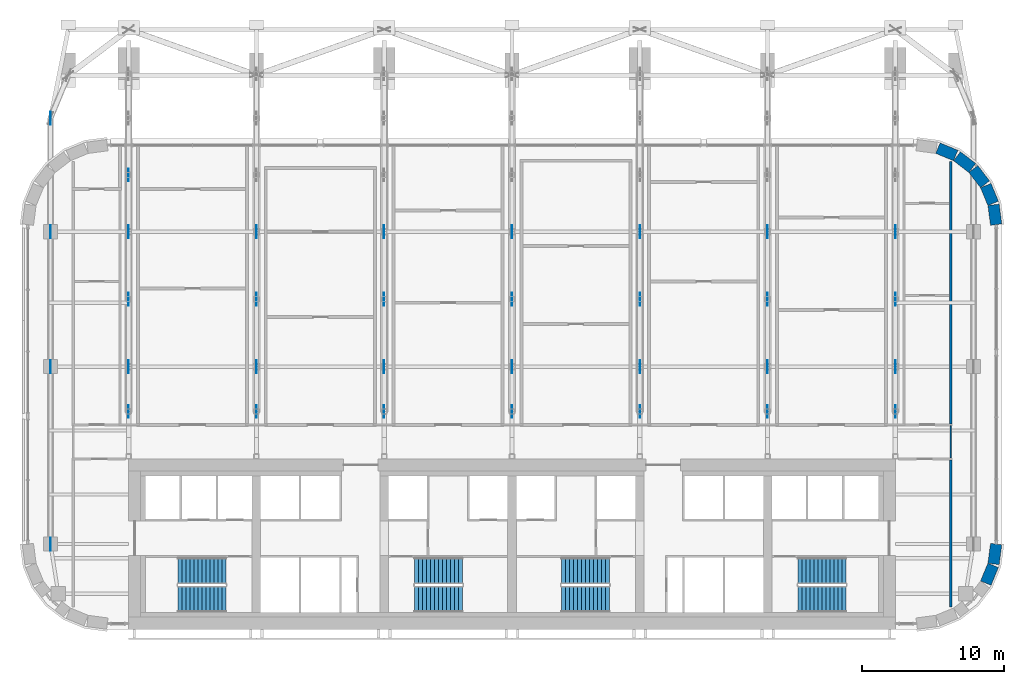
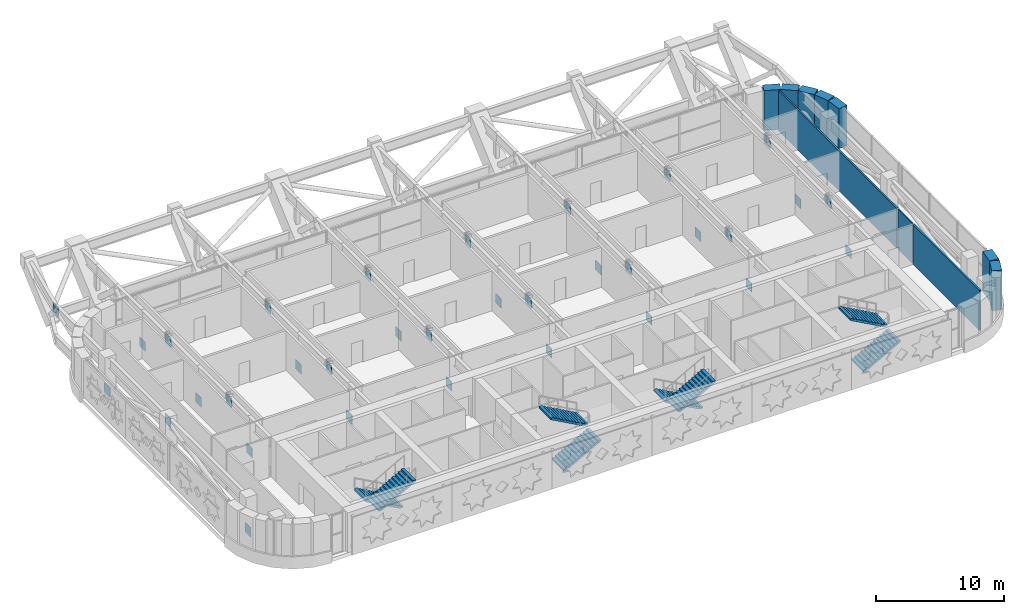
# One storey, part 15 of 23: 33 discrete accessories, 10 walls, 8 stair flights, 4 elements without a shape of their own.
"""IFC4 building model written with IfcOpenShell, lengths in metres."""

from ifc_helpers import new_model, si_unit, direction, frame, frame_2d, origin, origin_2d, place, context, subcontext, project, spatial, polyline, rectangle, outline, extrude, material, layer, layer_set, type_object, element, aggregate, save


model = new_model("IFC4")

# Units and contexts
model_context = context("Model", 3, precision=1e-05, world=origin(), true_north=direction((0.0, 1.0)))
body_context = subcontext(model_context, "Body", "Model", "MODEL_VIEW")
ifc_project = project(units=[si_unit("LENGTHUNIT", "METRE"), si_unit("AREAUNIT", "SQUARE_METRE"), si_unit("VOLUMEUNIT", "CUBIC_METRE"), si_unit("PLANEANGLEUNIT", "RADIAN"), si_unit("MASSUNIT", "GRAM", prefix="KILO")], contexts=[model_context])

# Site, building, storey
site_placement = place(None, origin())
site = spatial("IfcSite", under=ifc_project, at=site_placement, CompositionType="ELEMENT")
building_placement = place(site_placement, origin())
building = spatial("IfcBuilding", under=site, at=building_placement, Name="Zellij Exchange Tower", CompositionType="ELEMENT")
storey_placement = place(building_placement, frame((0.0, 0.0, 160.5)))
storey = spatial("IfcBuildingStorey", under=building, at=storey_placement, Name="L36", CompositionType="ELEMENT", Elevation=160.5)

# Walls
ifc_material_1 = material(Name="Precast concrete C40/50", Category="concrete")
ifc_layer_1 = layer(ifc_material_1, 0.800048828125)
ifc_layer_set_1 = layer_set([ifc_layer_1], Name="Precast concrete C40/50")
wall_type_1 = type_object("IfcWallType", Name="ENV-EW1 Precast stone-piered wall 800", PredefinedType="SOLIDWALL", material=ifc_layer_set_1)
wall_1_placement = place(storey_placement, frame((33.366943359375, -10.74951171875, 0.0), z_axis=(0.0, 0.0, 1.0), x_axis=(0.38276009378, 0.923847774587, 0.0)))
element("IfcWall", 1, at=wall_1_placement, inside=storey, type_object=wall_type_1, Name="fac.L36.05", PredefinedType="SOLIDWALL", context=body_context, shape_type="SweptSolid", body=[
    extrude(rectangle(XDim=1.35546875, YDim=0.800048828125, at=frame_2d((0.677734375, 0.0))), origin(), (0.0, 0.0, 1.0), 3.800048828125),
])
for number, where, z_axis, x_axis, name in (
    (2, (33.912841796875, -9.396240234375, 0.0), (0.0, 0.0, 1.0), (0.130517283865, 0.99144603414, 0.0), "fac.L36.06"),
    (3, (34.0966796875, 14.499755859375, 0.0), (0.0, 0.0, 1.0), (-0.130517283865, 0.99144603414, 0.0), "fac.L36.08"),
):
    element("IfcWall", number, at=place(storey_placement, frame(where, z_axis=z_axis, x_axis=x_axis)), inside=storey, type_object=wall_type_1, Name=name, PredefinedType="SOLIDWALL", context=body_context, shape_type="SweptSolid", body=[
        extrude(rectangle(XDim=1.408447265625, YDim=0.800048828125, at=frame_2d((0.7041015625, 0.0))), origin(), (0.0, 0.0, 1.0), 3.800048828125),
    ])
wall_2_placement = place(storey_placement, frame((33.8857421875, 15.997314453125, 0.0), z_axis=(0.0, 0.0, 1.0), x_axis=(-0.38276009378, 0.923847774587, 0.0)))
element("IfcWall", 4, at=wall_2_placement, inside=storey, type_object=wall_type_1, Name="fac.L36.09", PredefinedType="SOLIDWALL", context=body_context, shape_type="SweptSolid", body=[
    extrude(rectangle(XDim=1.35546875, YDim=0.800048828125, at=frame_2d((0.677734375, 0.0))), origin(), (0.0, 0.0, 1.0), 3.800048828125),
])
for number, where, z_axis, x_axis, name in (
    (5, (33.314697265625, 17.340087890625, 0.0), (0.0, 0.0, 1.0), (-0.608866226366, 0.793272915452, 0.0), "fac.L36.10"),
    (6, (32.41552734375, 18.4892578125, 0.0), (0.0, 0.0, 1.0), (-0.793272915452, 0.608866226366, 0.0), "fac.L36.11"),
):
    element("IfcWall", number, at=place(storey_placement, frame(where, z_axis=z_axis, x_axis=x_axis)), inside=storey, type_object=wall_type_1, Name=name, PredefinedType="SOLIDWALL", context=body_context, shape_type="SweptSolid", body=[
        extrude(rectangle(XDim=1.355712890625, YDim=0.800048828125, at=frame_2d((0.677734375, 0.0))), origin(), (0.0, 0.0, 1.0), 3.800048828125),
    ])
wall_3_placement = place(storey_placement, frame((31.24951171875, 19.366943359375, 0.0), z_axis=(0.0, 0.0, 1.0), x_axis=(-0.923847774587, 0.38276009378, 0.0)))
element("IfcWall", 7, at=wall_3_placement, inside=storey, type_object=wall_type_1, Name="fac.L36.12", PredefinedType="SOLIDWALL", context=body_context, shape_type="SweptSolid", body=[
    extrude(rectangle(XDim=1.35546875, YDim=0.800048828125, at=frame_2d((0.677734375, 0.0))), origin(), (0.0, 0.0, 1.0), 3.800048828125),
])
ifc_material_2 = material(Name="Gypsum board partition on steel studs", Category="steel")
ifc_layer_2 = layer(ifc_material_2, 0.10009765625)
ifc_layer_set_2 = layer_set([ifc_layer_2], Name="Gypsum board partition on steel studs")
wall_type_2 = type_object("IfcWallType", Name="FIT-PARTITION-100", PredefinedType="PARTITIONING", material=ifc_layer_set_2)
wall_4_placement = place(storey_placement, frame((30.89990234375, -1.925048828125, 0.0), z_axis=(0.0, 0.0, 1.0), x_axis=(0.0, 1.0, 0.0)))
element("IfcWall", 8, at=wall_4_placement, inside=storey, type_object=wall_type_2, Name="FIT-PARTITION-100 006", PredefinedType="PARTITIONING", context=body_context, shape_type="SweptSolid", body=[
    extrude(rectangle(XDim=2.25, YDim=0.10009765625, at=frame_2d((1.125, 0.0))), origin(), (0.0, 0.0, 1.0), 3.800048828125),
])
ifc_material_3 = material(Name="Gypsum board shaft-wall partition", Category="gypsum")
ifc_layer_3 = layer(ifc_material_3, 0.14990234375)
ifc_layer_set_3 = layer_set([ifc_layer_3], Name="Gypsum board shaft-wall partition")
wall_type_3 = type_object("IfcWallType", Name="FIT-PARTITION-150-EI60", PredefinedType="PARTITIONING", material=ifc_layer_set_3)
wall_5_placement = place(storey_placement, frame((30.89990234375, -12.43994140625, 0.0), z_axis=(0.0, 0.0, 1.0), x_axis=(0.0, 1.0, 0.0)))
element("IfcWall", 9, at=wall_5_placement, inside=storey, type_object=wall_type_3, Name="FIT-PARTITION-150-EI60 002", PredefinedType="PARTITIONING", context=body_context, shape_type="SweptSolid", body=[
    extrude(rectangle(XDim=10.364990234375, YDim=0.14990234375, at=frame_2d((5.1826171875, 0.0))), origin(), (0.0, 0.0, 1.0), 3.800048828125),
])
wall_6_placement = place(storey_placement, frame((30.89990234375, 0.47509765625, 0.0), z_axis=(0.0, 0.0, 1.0), x_axis=(0.0, 1.0, 0.0)))
element("IfcWall", 10, at=wall_6_placement, inside=storey, type_object=wall_type_3, Name="FIT-PARTITION-150-EI60 037", PredefinedType="PARTITIONING", context=body_context, shape_type="SweptSolid", body=[
    extrude(rectangle(XDim=18.46484375, YDim=0.14990234375, at=frame_2d((9.232421875, 0.0))), origin(), (0.0, 0.0, 1.0), 3.800048828125),
])

# Stair, stair flights
ifc_material_4 = material(Name="Concrete C40/50", Category="concrete")
stair_type = type_object("IfcStairType", Name="CORE-ST exit stair 1850 wide", PredefinedType="HALF_TURN_STAIR", material=ifc_material_4)
stair_1_placement = place(storey_placement, origin())
stair_1 = element("IfcStair", 11, at=stair_1_placement, inside=storey, type_object=stair_type, Name="L36 exit stair ST1", PredefinedType="HALF_TURN_STAIR")
stair_flight_type = type_object("IfcStairFlightType", Name="CORE-SF flight 1850 riser 153.8 going 280", PredefinedType="STRAIGHT", material=ifc_material_4)
stair_flight_1_placement = place(storey_placement, frame((-20.14990234375, -9.875, 0.0), z_axis=(0.0, 0.0, 1.0), x_axis=(-1.0, 0.0, 0.0)))
stair_flight_1 = element("IfcStairFlight", 12, at=stair_flight_1_placement, type_object=stair_flight_type, Name="ST1 flight 1", NumberOfRisers=13, NumberOfTreads=12, PredefinedType="STRAIGHT", RiserHeight=0.153846154, TreadLength=0.28, context=body_context, shape_type="SweptSolid", body=[
    extrude(outline(polyline([(0.0, 0.0), (0.0, 0.15380859375), (0.280029296875, 0.15380859375), (0.280029296875, 0.3076171875), (0.56005859375, 0.3076171875), (0.56005859375, 0.46142578125), (0.840087890625, 0.46142578125), (0.840087890625, 0.615478515625), (1.1201171875, 0.615478515625), (1.1201171875, 0.769287109375), (1.39990234375, 0.769287109375), (1.39990234375, 0.923095703125), (1.679931640625, 0.923095703125), (1.679931640625, 1.076904296875), (1.9599609375, 1.076904296875), (1.9599609375, 1.230712890625), (2.239990234375, 1.230712890625), (2.239990234375, 1.384521484375), (2.52001953125, 1.384521484375), (2.52001953125, 1.53857421875), (2.800048828125, 1.53857421875), (2.800048828125, 1.6923828125), (3.080078125, 1.6923828125), (3.080078125, 1.84619140625), (3.360107421875, 1.84619140625), (3.360107421875, 2.0), (3.360107421875, 1.675048828125), (0.311279296875, 0.0), (0.0, 0.0)])), frame((0.0, 0.925048828125, 0.0), z_axis=(0.0, -1.0, 0.0), x_axis=(1.0, 0.0, 0.0)), (0.0, 0.0, 1.0), 1.85009765625),
])
stair_flight_2_placement = place(storey_placement, frame((-23.510009765625, -11.875, 2.0), z_axis=(0.0, 0.0, 1.0), x_axis=(1.0, 0.0, 0.0)))
stair_flight_2 = element("IfcStairFlight", 13, at=stair_flight_2_placement, type_object=stair_flight_type, Name="ST1 flight 2", NumberOfRisers=13, NumberOfTreads=12, PredefinedType="STRAIGHT", RiserHeight=0.153846154, TreadLength=0.28, context=body_context, shape_type="SweptSolid", body=[
    extrude(outline(polyline([(0.0, 0.0), (0.0, 0.15380859375), (0.280029296875, 0.15380859375), (0.280029296875, 0.3076171875), (0.56005859375, 0.3076171875), (0.56005859375, 0.46142578125), (0.840087890625, 0.46142578125), (0.840087890625, 0.615478515625), (1.1201171875, 0.615478515625), (1.1201171875, 0.769287109375), (1.39990234375, 0.769287109375), (1.39990234375, 0.923095703125), (1.679931640625, 0.923095703125), (1.679931640625, 1.076904296875), (1.9599609375, 1.076904296875), (1.9599609375, 1.230712890625), (2.239990234375, 1.230712890625), (2.239990234375, 1.384521484375), (2.52001953125, 1.384521484375), (2.52001953125, 1.53857421875), (2.800048828125, 1.53857421875), (2.800048828125, 1.6923828125), (3.080078125, 1.6923828125), (3.080078125, 1.84619140625), (3.360107421875, 1.84619140625), (3.360107421875, 2.0), (3.360107421875, 1.675048828125), (0.311279296875, 0.0), (0.0, 0.0)])), frame((0.0, 0.925048828125, 0.0), z_axis=(0.0, -1.0, 0.0), x_axis=(1.0, 0.0, 0.0)), (0.0, 0.0, 1.0), 1.85009765625),
])
aggregate(stair_1, [stair_flight_1, stair_flight_2])

stair_2_placement = place(storey_placement, origin())
stair_2 = element("IfcStair", 14, at=stair_2_placement, inside=storey, type_object=stair_type, Name="L36 exit stair ST2", PredefinedType="HALF_TURN_STAIR")
stair_flight_3_placement = place(storey_placement, frame((-6.85009765625, -11.875, 0.0), z_axis=(0.0, 0.0, 1.0), x_axis=(1.0, 0.0, 0.0)))
stair_flight_3 = element("IfcStairFlight", 15, at=stair_flight_3_placement, type_object=stair_flight_type, Name="ST2 flight 1", NumberOfRisers=13, NumberOfTreads=12, PredefinedType="STRAIGHT", RiserHeight=0.153846154, TreadLength=0.28, context=body_context, shape_type="SweptSolid", body=[
    extrude(outline(polyline([(0.0, 0.0), (0.0, 0.15380859375), (0.280029296875, 0.15380859375), (0.280029296875, 0.3076171875), (0.56005859375, 0.3076171875), (0.56005859375, 0.46142578125), (0.840087890625, 0.46142578125), (0.840087890625, 0.615478515625), (1.1201171875, 0.615478515625), (1.1201171875, 0.769287109375), (1.39990234375, 0.769287109375), (1.39990234375, 0.923095703125), (1.679931640625, 0.923095703125), (1.679931640625, 1.076904296875), (1.9599609375, 1.076904296875), (1.9599609375, 1.230712890625), (2.239990234375, 1.230712890625), (2.239990234375, 1.384521484375), (2.52001953125, 1.384521484375), (2.52001953125, 1.53857421875), (2.800048828125, 1.53857421875), (2.800048828125, 1.6923828125), (3.080078125, 1.6923828125), (3.080078125, 1.84619140625), (3.360107421875, 1.84619140625), (3.360107421875, 2.0), (3.360107421875, 1.675048828125), (0.311279296875, 0.0), (0.0, 0.0)])), frame((0.0, 0.925048828125, 0.0), z_axis=(0.0, -1.0, 0.0), x_axis=(1.0, 0.0, 0.0)), (0.0, 0.0, 1.0), 1.85009765625),
])
stair_flight_4_placement = place(storey_placement, frame((-3.489990234375, -9.875, 2.0), z_axis=(0.0, 0.0, 1.0), x_axis=(-1.0, 0.0, 0.0)))
stair_flight_4 = element("IfcStairFlight", 16, at=stair_flight_4_placement, type_object=stair_flight_type, Name="ST2 flight 2", NumberOfRisers=13, NumberOfTreads=12, PredefinedType="STRAIGHT", RiserHeight=0.153846154, TreadLength=0.28, context=body_context, shape_type="SweptSolid", body=[
    extrude(outline(polyline([(0.0, 0.0), (0.0, 0.15380859375), (0.280029296875, 0.15380859375), (0.280029296875, 0.3076171875), (0.56005859375, 0.3076171875), (0.56005859375, 0.46142578125), (0.840087890625, 0.46142578125), (0.840087890625, 0.615478515625), (1.1201171875, 0.615478515625), (1.1201171875, 0.769287109375), (1.39990234375, 0.769287109375), (1.39990234375, 0.923095703125), (1.679931640625, 0.923095703125), (1.679931640625, 1.076904296875), (1.9599609375, 1.076904296875), (1.9599609375, 1.230712890625), (2.239990234375, 1.230712890625), (2.239990234375, 1.384521484375), (2.52001953125, 1.384521484375), (2.52001953125, 1.53857421875), (2.800048828125, 1.53857421875), (2.800048828125, 1.6923828125), (3.080078125, 1.6923828125), (3.080078125, 1.84619140625), (3.360107421875, 1.84619140625), (3.360107421875, 2.0), (3.360107421875, 1.675048828125), (0.311279296875, 0.0), (0.0, 0.0)])), frame((0.0, 0.925048828125, 0.0), z_axis=(0.0, -1.0, 0.0), x_axis=(1.0, 0.0, 0.0)), (0.0, 0.0, 1.0), 1.85009765625),
])
aggregate(stair_2, [stair_flight_3, stair_flight_4])

stair_3_placement = place(storey_placement, origin())
stair_3 = element("IfcStair", 17, at=stair_3_placement, inside=storey, type_object=stair_type, Name="L36 exit stair ST3", PredefinedType="HALF_TURN_STAIR")
stair_flight_5_placement = place(storey_placement, frame((6.85009765625, -9.875, 0.0), z_axis=(0.0, 0.0, 1.0), x_axis=(-1.0, 0.0, 0.0)))
stair_flight_5 = element("IfcStairFlight", 18, at=stair_flight_5_placement, type_object=stair_flight_type, Name="ST3 flight 1", NumberOfRisers=13, NumberOfTreads=12, PredefinedType="STRAIGHT", RiserHeight=0.153846154, TreadLength=0.28, context=body_context, shape_type="SweptSolid", body=[
    extrude(outline(polyline([(0.0, 0.0), (0.0, 0.15380859375), (0.280029296875, 0.15380859375), (0.280029296875, 0.3076171875), (0.56005859375, 0.3076171875), (0.56005859375, 0.46142578125), (0.840087890625, 0.46142578125), (0.840087890625, 0.615478515625), (1.1201171875, 0.615478515625), (1.1201171875, 0.769287109375), (1.39990234375, 0.769287109375), (1.39990234375, 0.923095703125), (1.679931640625, 0.923095703125), (1.679931640625, 1.076904296875), (1.9599609375, 1.076904296875), (1.9599609375, 1.230712890625), (2.239990234375, 1.230712890625), (2.239990234375, 1.384521484375), (2.52001953125, 1.384521484375), (2.52001953125, 1.53857421875), (2.800048828125, 1.53857421875), (2.800048828125, 1.6923828125), (3.080078125, 1.6923828125), (3.080078125, 1.84619140625), (3.360107421875, 1.84619140625), (3.360107421875, 2.0), (3.360107421875, 1.675048828125), (0.311279296875, 0.0), (0.0, 0.0)])), frame((0.0, 0.925048828125, 0.0), z_axis=(0.0, -1.0, 0.0), x_axis=(1.0, 0.0, 0.0)), (0.0, 0.0, 1.0), 1.85009765625),
])
stair_flight_6_placement = place(storey_placement, frame((3.489990234375, -11.875, 2.0), z_axis=(0.0, 0.0, 1.0), x_axis=(1.0, 0.0, 0.0)))
stair_flight_6 = element("IfcStairFlight", 19, at=stair_flight_6_placement, type_object=stair_flight_type, Name="ST3 flight 2", NumberOfRisers=13, NumberOfTreads=12, PredefinedType="STRAIGHT", RiserHeight=0.153846154, TreadLength=0.28, context=body_context, shape_type="SweptSolid", body=[
    extrude(outline(polyline([(0.0, 0.0), (0.0, 0.15380859375), (0.280029296875, 0.15380859375), (0.280029296875, 0.3076171875), (0.56005859375, 0.3076171875), (0.56005859375, 0.46142578125), (0.840087890625, 0.46142578125), (0.840087890625, 0.615478515625), (1.1201171875, 0.615478515625), (1.1201171875, 0.769287109375), (1.39990234375, 0.769287109375), (1.39990234375, 0.923095703125), (1.679931640625, 0.923095703125), (1.679931640625, 1.076904296875), (1.9599609375, 1.076904296875), (1.9599609375, 1.230712890625), (2.239990234375, 1.230712890625), (2.239990234375, 1.384521484375), (2.52001953125, 1.384521484375), (2.52001953125, 1.53857421875), (2.800048828125, 1.53857421875), (2.800048828125, 1.6923828125), (3.080078125, 1.6923828125), (3.080078125, 1.84619140625), (3.360107421875, 1.84619140625), (3.360107421875, 2.0), (3.360107421875, 1.675048828125), (0.311279296875, 0.0), (0.0, 0.0)])), frame((0.0, 0.925048828125, 0.0), z_axis=(0.0, -1.0, 0.0), x_axis=(1.0, 0.0, 0.0)), (0.0, 0.0, 1.0), 1.85009765625),
])
aggregate(stair_3, [stair_flight_5, stair_flight_6])

stair_4_placement = place(storey_placement, origin())
stair_4 = element("IfcStair", 20, at=stair_4_placement, inside=storey, type_object=stair_type, Name="L36 exit stair ST4", PredefinedType="HALF_TURN_STAIR")
stair_flight_7_placement = place(storey_placement, frame((20.14990234375, -11.875, 0.0), z_axis=(0.0, 0.0, 1.0), x_axis=(1.0, 0.0, 0.0)))
stair_flight_7 = element("IfcStairFlight", 21, at=stair_flight_7_placement, type_object=stair_flight_type, Name="ST4 flight 1", NumberOfRisers=13, NumberOfTreads=12, PredefinedType="STRAIGHT", RiserHeight=0.153846154, TreadLength=0.28, context=body_context, shape_type="SweptSolid", body=[
    extrude(outline(polyline([(0.0, 0.0), (0.0, 0.15380859375), (0.280029296875, 0.15380859375), (0.280029296875, 0.3076171875), (0.56005859375, 0.3076171875), (0.56005859375, 0.46142578125), (0.840087890625, 0.46142578125), (0.840087890625, 0.615478515625), (1.1201171875, 0.615478515625), (1.1201171875, 0.769287109375), (1.39990234375, 0.769287109375), (1.39990234375, 0.923095703125), (1.679931640625, 0.923095703125), (1.679931640625, 1.076904296875), (1.9599609375, 1.076904296875), (1.9599609375, 1.230712890625), (2.239990234375, 1.230712890625), (2.239990234375, 1.384521484375), (2.52001953125, 1.384521484375), (2.52001953125, 1.53857421875), (2.800048828125, 1.53857421875), (2.800048828125, 1.6923828125), (3.080078125, 1.6923828125), (3.080078125, 1.84619140625), (3.360107421875, 1.84619140625), (3.360107421875, 2.0), (3.360107421875, 1.675048828125), (0.311279296875, 0.0), (0.0, 0.0)])), frame((0.0, 0.925048828125, 0.0), z_axis=(0.0, -1.0, 0.0), x_axis=(1.0, 0.0, 0.0)), (0.0, 0.0, 1.0), 1.85009765625),
])
stair_flight_8_placement = place(storey_placement, frame((23.510009765625, -9.875, 2.0), z_axis=(0.0, 0.0, 1.0), x_axis=(-1.0, 0.0, 0.0)))
stair_flight_8 = element("IfcStairFlight", 22, at=stair_flight_8_placement, type_object=stair_flight_type, Name="ST4 flight 2", NumberOfRisers=13, NumberOfTreads=12, PredefinedType="STRAIGHT", RiserHeight=0.153846154, TreadLength=0.28, context=body_context, shape_type="SweptSolid", body=[
    extrude(outline(polyline([(0.0, 0.0), (0.0, 0.15380859375), (0.280029296875, 0.15380859375), (0.280029296875, 0.3076171875), (0.56005859375, 0.3076171875), (0.56005859375, 0.46142578125), (0.840087890625, 0.46142578125), (0.840087890625, 0.615478515625), (1.1201171875, 0.615478515625), (1.1201171875, 0.769287109375), (1.39990234375, 0.769287109375), (1.39990234375, 0.923095703125), (1.679931640625, 0.923095703125), (1.679931640625, 1.076904296875), (1.9599609375, 1.076904296875), (1.9599609375, 1.230712890625), (2.239990234375, 1.230712890625), (2.239990234375, 1.384521484375), (2.52001953125, 1.384521484375), (2.52001953125, 1.53857421875), (2.800048828125, 1.53857421875), (2.800048828125, 1.6923828125), (3.080078125, 1.6923828125), (3.080078125, 1.84619140625), (3.360107421875, 1.84619140625), (3.360107421875, 2.0), (3.360107421875, 1.675048828125), (0.311279296875, 0.0), (0.0, 0.0)])), frame((0.0, 0.925048828125, 0.0), z_axis=(0.0, -1.0, 0.0), x_axis=(1.0, 0.0, 0.0)), (0.0, 0.0, 1.0), 1.85009765625),
])
aggregate(stair_4, [stair_flight_7, stair_flight_8])

# Discrete accessories
for number, where, z_axis, x_axis, name in (
    (23, (-27.0, 1.339111328125, 0.03271484375), (0.0, 0.0, 1.0), (0.0, 1.0, 0.0), "Gusset plate"),
    (24, (-27.0, 4.5, 2.867431640625), (0.0, 0.0, 1.0), (0.0, 1.0, 0.0), "Gusset plate"),
    (25, (-27.0, 9.25, 0.03271484375), (0.0, 0.0, 1.0), (0.0, 1.0, 0.0), "Gusset plate"),
    (26, (-27.0, 14.0, 2.867431640625), (0.0, 0.0, 1.0), (0.0, 1.0, 0.0), "Gusset plate"),
    (27, (-27.0, 18.0, 0.03271484375), (0.0, 0.0, 1.0), (0.0, 1.0, 0.0), "Gusset plate"),
    (28, (-18.0, 1.339111328125, 0.03271484375), (0.0, 0.0, 1.0), (0.0, 1.0, 0.0), "Gusset plate"),
    (29, (-18.0, 4.5, 2.867431640625), (0.0, 0.0, 1.0), (0.0, 1.0, 0.0), "Gusset plate"),
    (30, (-18.0, 9.25, 0.03271484375), (0.0, 0.0, 1.0), (0.0, 1.0, 0.0), "Gusset plate"),
    (31, (-18.0, 14.0, 2.867431640625), (0.0, 0.0, 1.0), (0.0, 1.0, 0.0), "Gusset plate"),
    (32, (-9.0, 1.339111328125, 0.03271484375), (0.0, 0.0, 1.0), (0.0, 1.0, 0.0), "Gusset plate"),
    (33, (-9.0, 4.5, 2.867431640625), (0.0, 0.0, 1.0), (0.0, 1.0, 0.0), "Gusset plate"),
    (34, (-9.0, 9.25, 0.03271484375), (0.0, 0.0, 1.0), (0.0, 1.0, 0.0), "Gusset plate"),
    (35, (-9.0, 14.0, 2.867431640625), (0.0, 0.0, 1.0), (0.0, 1.0, 0.0), "Gusset plate"),
    (36, (0.0, 1.339111328125, 0.03271484375), (0.0, 0.0, 1.0), (0.0, 1.0, 0.0), "Gusset plate"),
    (37, (0.0, 4.5, 2.867431640625), (0.0, 0.0, 1.0), (0.0, 1.0, 0.0), "Gusset plate"),
    (38, (0.0, 9.25, 0.03271484375), (0.0, 0.0, 1.0), (0.0, 1.0, 0.0), "Gusset plate"),
    (39, (0.0, 14.0, 2.867431640625), (0.0, 0.0, 1.0), (0.0, 1.0, 0.0), "Gusset plate"),
    (40, (9.0, 1.339111328125, 0.03271484375), (0.0, 0.0, 1.0), (0.0, 1.0, 0.0), "Gusset plate"),
    (41, (9.0, 4.5, 2.867431640625), (0.0, 0.0, 1.0), (0.0, 1.0, 0.0), "Gusset plate"),
    (42, (9.0, 9.25, 0.03271484375), (0.0, 0.0, 1.0), (0.0, 1.0, 0.0), "Gusset plate"),
    (43, (9.0, 14.0, 2.867431640625), (0.0, 0.0, 1.0), (0.0, 1.0, 0.0), "Gusset plate"),
    (44, (18.0, 1.339111328125, 0.03271484375), (0.0, 0.0, 1.0), (0.0, 1.0, 0.0), "Gusset plate"),
    (45, (18.0, 4.5, 2.867431640625), (0.0, 0.0, 1.0), (0.0, 1.0, 0.0), "Gusset plate"),
    (46, (18.0, 9.25, 0.03271484375), (0.0, 0.0, 1.0), (0.0, 1.0, 0.0), "Gusset plate"),
    (47, (18.0, 14.0, 2.867431640625), (0.0, 0.0, 1.0), (0.0, 1.0, 0.0), "Gusset plate"),
    (48, (27.0, 1.339111328125, 0.03271484375), (0.0, 0.0, 1.0), (0.0, 1.0, 0.0), "Gusset plate"),
    (49, (27.0, 4.5, 2.867431640625), (0.0, 0.0, 1.0), (0.0, 1.0, 0.0), "Gusset plate"),
    (50, (27.0, 9.25, 0.03271484375), (0.0, 0.0, 1.0), (0.0, 1.0, 0.0), "Gusset plate"),
    (51, (27.0, 14.0, 2.867431640625), (0.0, 0.0, 1.0), (0.0, 1.0, 0.0), "Gusset plate"),
    (52, (-32.5, -8.0, 0.021240234375), (0.0, 0.0, 1.0), (0.0, 1.0, 0.0), "Gusset plate"),
    (53, (-32.5, 4.5, 2.87890625), (0.0, 0.0, 1.0), (0.0, 1.0, 0.0), "Gusset plate"),
    (54, (-32.5, 14.0, 0.021240234375), (0.0, 0.0, 1.0), (0.0, 1.0, 0.0), "Gusset plate"),
    (55, (-32.5, 22.0, 2.87890625), (0.0, 0.0, 1.0), (0.0, 1.0, 0.0), "Gusset plate"),
):
    element("IfcDiscreteAccessory", number, at=place(storey_placement, frame(where, z_axis=z_axis, x_axis=x_axis)), inside=storey, Name=name, PredefinedType="BRACKET", context=body_context, shape_type="SweptSolid", body=[
        extrude(rectangle(XDim=0.89990234375, YDim=0.030029296875, at=origin_2d()), origin(), (0.0, 0.0, 1.0), 0.89990234375),
    ])

save(model, "model.ifc")
